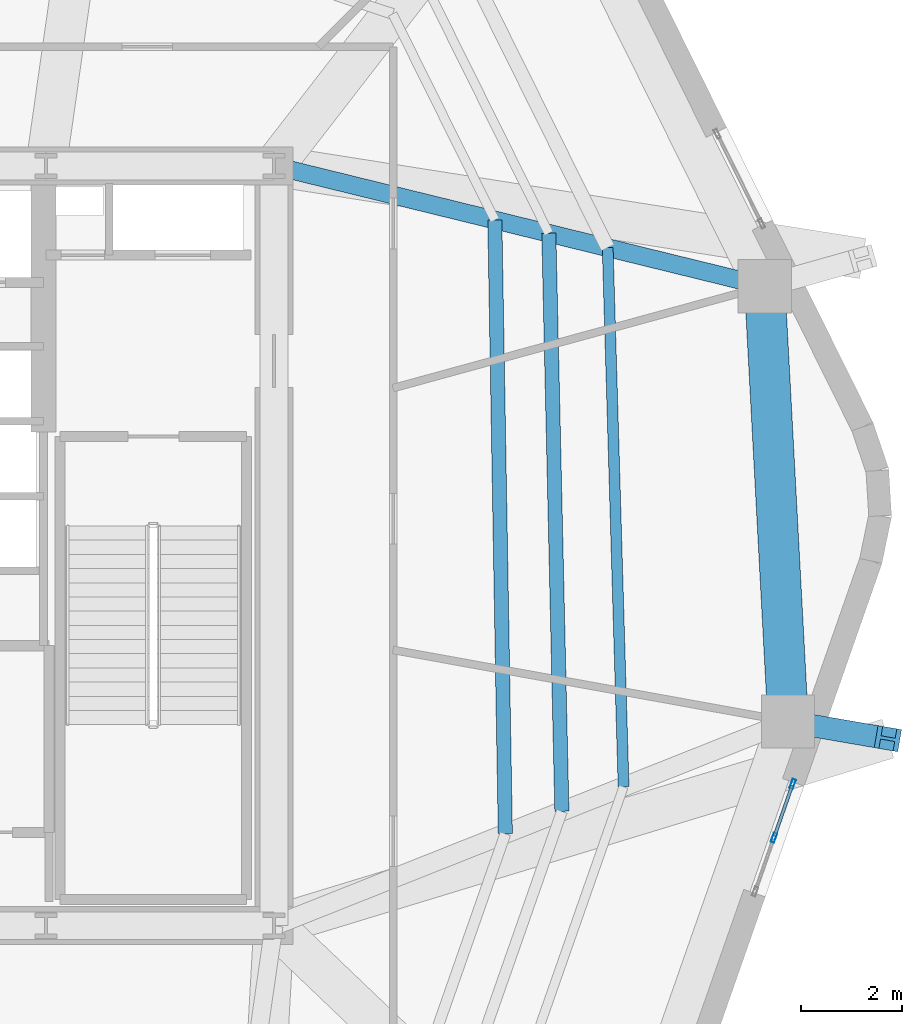
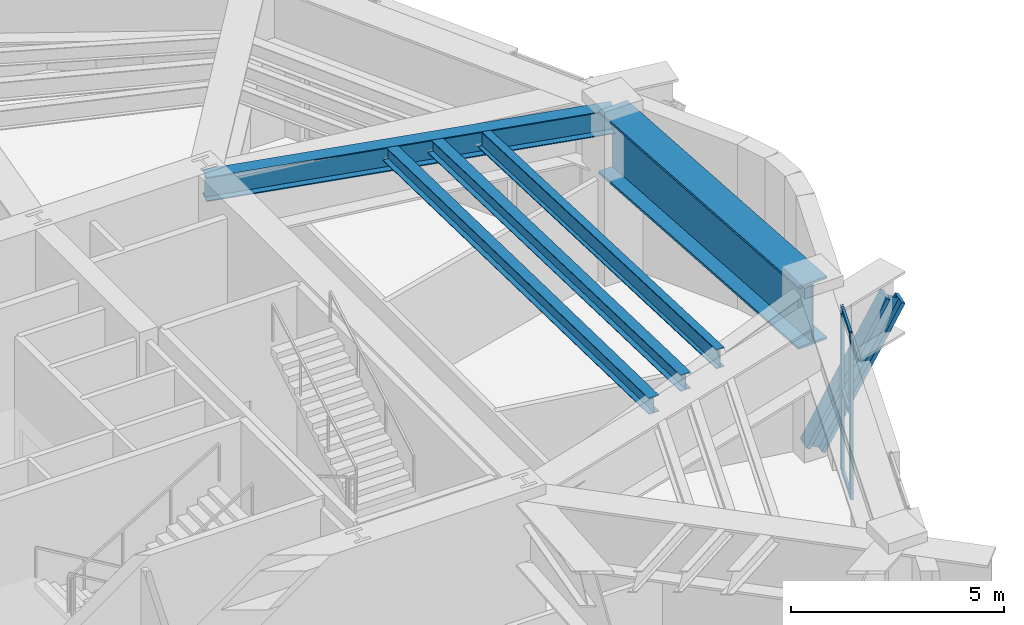
# One storey, part 7 of 18: 6 members, 5 beams, 1 element without a shape of its own.
"""IFC4 building model written with IfcOpenShell, lengths in metres."""

from ifc_helpers import new_model, si_unit, direction, frame, origin, origin_2d, place, context, subcontext, project, spatial, hollow_rectangle, i_section, extrude, material, layer, layer_set, material_profile, profile_set, type_object, element, aggregate, save


model = new_model("IFC4")

# Units and contexts
model_context = context("Model", 3, precision=1e-05, world=origin(), true_north=direction((0.0, 1.0)))
body_context = subcontext(model_context, "Body", "Model", "MODEL_VIEW")
ifc_project = project(units=[si_unit("LENGTHUNIT", "METRE"), si_unit("AREAUNIT", "SQUARE_METRE"), si_unit("VOLUMEUNIT", "CUBIC_METRE"), si_unit("PLANEANGLEUNIT", "RADIAN"), si_unit("MASSUNIT", "GRAM", prefix="KILO")], contexts=[model_context])

# Site, building, storey
site_placement = place(None, origin())
site = spatial("IfcSite", under=ifc_project, at=site_placement, CompositionType="ELEMENT")
building_placement = place(site_placement, origin())
building = spatial("IfcBuilding", under=site, at=building_placement, Name="Kilnhurst Terrace Hotel", CompositionType="ELEMENT")
storey_placement = place(building_placement, frame((0.0, 0.0, 201.5)))
storey = spatial("IfcBuildingStorey", under=building, at=storey_placement, Name="L50", CompositionType="ELEMENT", Elevation=201.5)

# Beams
ifc_material_1 = material(Name="Steel ASTM A992 Grade 50", Category="steel")
ifc_material_profile_1 = material_profile(ifc_material_1, i_section(OverallWidth=0.354736328125, OverallDepth=0.695556640625, WebThickness=0.015380859375, FlangeThickness=0.025146484375, at=origin_2d()), Name="W27X146")
ifc_profile_set_1 = profile_set([ifc_material_profile_1], Name="Steel ASTM A992 Grade 50")
beam_type_1 = type_object("IfcBeamType", Name="BM-STL-W27X146", PredefinedType="BEAM", material=ifc_profile_set_1)
beam_1_placement = place(storey_placement, frame((9.0, 7.5, 4.35205078125), z_axis=(0.971212767405, -0.238213686486, 0.0), x_axis=(0.238213686486, 0.971212767405, 0.0)))
element("IfcBeam", 1, at=beam_1_placement, inside=storey, type_object=beam_type_1, Name="L50 Radial Floor Beam 5", PredefinedType="BEAM", context=body_context, shape_type="SweptSolid", body=[
    extrude(i_section(OverallWidth=0.354736328125, OverallDepth=0.695556640625, WebThickness=0.015380859375, FlangeThickness=0.025146484375, at=origin_2d()), origin(), (0.0, 0.0, 1.0), 9.97412109375),
])
ifc_material_profile_2 = material_profile(ifc_material_1, i_section(OverallWidth=0.279296875, OverallDepth=0.462890625, WebThickness=0.0107421875, FlangeThickness=0.017333984375, at=origin_2d()), Name="W18X76")
ifc_profile_set_2 = profile_set([ifc_material_profile_2], Name="Steel ASTM A992 Grade 50")
beam_type_2 = type_object("IfcBeamType", Name="JST-STL-W18X76", PredefinedType="JOIST", material=ifc_profile_set_2)
beam_2_placement = place(storey_placement, frame((13.566650390625, -5.685302734375, 4.468017578125), z_axis=(-0.017124916462, 0.999853357866, 0.0), x_axis=(-0.999853357866, -0.017124916462, 0.0)))
element("IfcBeam", 2, at=beam_2_placement, inside=storey, type_object=beam_type_2, Name="L50 Secondary Floor Steel Joist IN.4", PredefinedType="JOIST", context=body_context, shape_type="SweptSolid", body=[
    extrude(i_section(OverallWidth=0.279296875, OverallDepth=0.462890625, WebThickness=0.0107421875, FlangeThickness=0.017333984375, at=origin_2d()), origin(), (0.0, 0.0, 1.0), 12.117919921875),
])
beam_3_placement = place(storey_placement, frame((14.682861328125, -5.241455078125, 4.468017578125), z_axis=(-0.022609166003, 0.999744380136, 0.0), x_axis=(-0.999744380136, -0.022609166003, 0.0)))
element("IfcBeam", 3, at=beam_3_placement, inside=storey, type_object=beam_type_2, Name="L50 Secondary Floor Steel Joist MID.4", PredefinedType="JOIST", context=body_context, shape_type="SweptSolid", body=[
    extrude(i_section(OverallWidth=0.279296875, OverallDepth=0.462890625, WebThickness=0.0107421875, FlangeThickness=0.017333984375, at=origin_2d()), origin(), (0.0, 0.0, 1.0), 11.413818359375),
])
ifc_material_profile_3 = material_profile(ifc_material_1, i_section(OverallWidth=0.2138671875, OverallDepth=0.549072265625, WebThickness=0.0146484375, FlangeThickness=0.023681640625, at=origin_2d()), Name="W21X93")
ifc_profile_set_3 = profile_set([ifc_material_profile_3], Name="Steel ASTM A992 Grade 50")
beam_type_3 = type_object("IfcBeamType", Name="JST-STL-W21X93", PredefinedType="JOIST", material=ifc_profile_set_3)
beam_4_placement = place(storey_placement, frame((15.900634765625, -4.757568359375, 4.425048828125), z_axis=(-0.029444201298, 0.999566425512, 0.0), x_axis=(-0.999566425512, -0.029444201298, 0.0)))
element("IfcBeam", 4, at=beam_4_placement, inside=storey, type_object=beam_type_3, Name="L50 Secondary Floor Steel Joist OUT.4", PredefinedType="JOIST", context=body_context, shape_type="SweptSolid", body=[
    extrude(i_section(OverallWidth=0.2138671875, OverallDepth=0.549072265625, WebThickness=0.0146484375, FlangeThickness=0.023681640625, at=origin_2d()), origin(), (0.0, 0.0, 1.0), 10.646484375),
])

# Curtain wall, members
ifc_material_2 = material(Name="Anodized Aluminium Alloy 6063-T6 and Low-E Glass", Category="aluminium")
ifc_layer = layer(ifc_material_2, 0.219970703125, Name="Anodized Aluminium Alloy 6063-T6 and Low-E Glass")
ifc_layer_set = layer_set([ifc_layer], Name="Anodized Aluminium Alloy 6063-T6 and Low-E Glass")
curtain_wall_type = type_object("IfcCurtainWallType", Name="CW-SPA-L50", PredefinedType="NOTDEFINED", material=ifc_layer_set)
curtain_wall_placement = place(storey_placement, origin())
curtain_wall = element("IfcCurtainWall", 5, at=curtain_wall_placement, inside=storey, type_object=curtain_wall_type, Name="L50 Curtain Wall CW-L50-F2-2", PredefinedType="NOTDEFINED")
ifc_material_3 = material(Name="Extruded Aluminium Alloy 6063-T6", Category="aluminium")
ifc_material_profile_4 = material_profile(ifc_material_3, hollow_rectangle(XDim=0.070068359375, YDim=0.18994140625, WallThickness=0.00390625, at=origin_2d()), Name="CWM70X190")
ifc_profile_set_4 = profile_set([ifc_material_profile_4], Name="Extruded Aluminium Alloy 6063-T6")
member_type_1 = type_object("IfcMemberType", Name="MEM-CWM70X190", PredefinedType="MULLION", material=ifc_profile_set_4)
member_1_placement = place(storey_placement, frame((18.86865234375, -5.7626953125, 0.0), z_axis=(0.0, 0.0, 1.0), x_axis=(-0.943822032157, 0.33045418989, 0.0)))
member_1 = element("IfcMember", 6, at=member_1_placement, type_object=member_type_1, Name="CWA-4 mullion 2", PredefinedType="MULLION", context=body_context, shape_type="SweptSolid", body=[
    extrude(hollow_rectangle(XDim=0.070068359375, YDim=0.18994140625, WallThickness=0.00390625, at=origin_2d()), origin(), (0.0, 0.0, 1.0), 4.699951171875),
])
member_2_placement = place(storey_placement, frame((19.239990234375, -4.701904296875, 0.0), z_axis=(0.0, 0.0, 1.0), x_axis=(-0.943822032157, 0.33045418989, 0.0)))
member_2 = element("IfcMember", 7, at=member_2_placement, type_object=member_type_1, Name="CWA-4 mullion 3", PredefinedType="MULLION", context=body_context, shape_type="SweptSolid", body=[
    extrude(hollow_rectangle(XDim=0.070068359375, YDim=0.18994140625, WallThickness=0.00390625, at=origin_2d()), origin(), (0.0, 0.0, 1.0), 4.699951171875),
])
ifc_material_profile_5 = material_profile(ifc_material_3, hollow_rectangle(XDim=0.06494140625, YDim=0.1201171875, WallThickness=0.00341796875, at=origin_2d()), Name="CWT65X120")
ifc_profile_set_5 = profile_set([ifc_material_profile_5], Name="Extruded Aluminium Alloy 6063-T6")
member_type_2 = type_object("IfcMemberType", Name="MEM-CWT65X120", PredefinedType="USERDEFINED", material=ifc_profile_set_5)
member_3_placement = place(storey_placement, frame((18.880126953125, -5.729736328125, 0.032470703125), z_axis=(0.330505169768, 0.943804181362, 0.0), x_axis=(-0.943804181362, 0.330505169768, 0.0)))
member_3 = element("IfcMember", 8, at=member_3_placement, type_object=member_type_2, Name="CWA-4 transom 2.1", ObjectType="TRANSOM", PredefinedType="USERDEFINED", context=body_context, shape_type="SweptSolid", body=[
    extrude(hollow_rectangle(XDim=0.06494140625, YDim=0.1201171875, WallThickness=0.00341796875, at=origin_2d()), origin(), (0.0, 0.0, 1.0), 1.05419921875),
])
member_4_placement = place(storey_placement, frame((18.880126953125, -5.729736328125, 2.35009765625), z_axis=(0.330505169768, 0.943804181362, 0.0), x_axis=(-0.943804181362, 0.330505169768, 0.0)))
member_4 = element("IfcMember", 9, at=member_4_placement, type_object=member_type_2, Name="CWA-4 transom 2.2", ObjectType="TRANSOM", PredefinedType="USERDEFINED", context=body_context, shape_type="SweptSolid", body=[
    extrude(hollow_rectangle(XDim=0.06494140625, YDim=0.1201171875, WallThickness=0.00341796875, at=origin_2d()), origin(), (0.0, 0.0, 1.0), 1.05419921875),
])
member_5_placement = place(storey_placement, frame((18.880126953125, -5.729736328125, 4.66748046875), z_axis=(0.330505169768, 0.943804181362, 0.0), x_axis=(-0.943804181362, 0.330505169768, 0.0)))
member_5 = element("IfcMember", 10, at=member_5_placement, type_object=member_type_2, Name="CWA-4 transom 2.3", ObjectType="TRANSOM", PredefinedType="USERDEFINED", context=body_context, shape_type="SweptSolid", body=[
    extrude(hollow_rectangle(XDim=0.06494140625, YDim=0.1201171875, WallThickness=0.00341796875, at=origin_2d()), origin(), (0.0, 0.0, 1.0), 1.05419921875),
])
aggregate(curtain_wall, [member_1, member_2, member_3, member_4, member_5])

# Member
ifc_material_profile_6 = material_profile(ifc_material_1, i_section(OverallWidth=0.44189453125, OverallDepth=0.531494140625, WebThickness=0.06591796875, FlangeThickness=0.105712890625, at=origin_2d()), Name="W14X605")
ifc_profile_set_6 = profile_set([ifc_material_profile_6], Name="Steel ASTM A992 Grade 50")
member_type_3 = type_object("IfcMemberType", Name="MEM-OTR-DIAG-605", PredefinedType="BRACE", material=ifc_profile_set_6)
member_6_placement = place(storey_placement, frame((19.14794921875, -3.467041015625, 0.0), z_axis=(0.458795097439, -0.079147698059, 0.885010000202), x_axis=(0.170000979016, 0.985443893448, 0.0)))
element("IfcMember", 11, at=member_6_placement, inside=storey, type_object=member_type_3, Name="L50 Waist Flare Inclined Column Strut 4", PredefinedType="BRACE", context=body_context, shape_type="SweptSolid", body=[
    extrude(i_section(OverallWidth=0.44189453125, OverallDepth=0.531494140625, WebThickness=0.06591796875, FlangeThickness=0.105712890625, at=origin_2d()), origin(), (0.0, 0.0, 1.0), 4.293701171875),
])

# Beam
ifc_material_4 = material(Name="Steel ASTM A572 Grade 50", Category="steel")
ifc_material_profile_7 = material_profile(ifc_material_4, i_section(OverallWidth=0.800048828125, OverallDepth=1.800048828125, WebThickness=0.0400390625, FlangeThickness=0.06494140625, at=origin_2d()), Name="PG1800X800")
ifc_profile_set_7 = profile_set([ifc_material_profile_7], Name="Steel ASTM A572 Grade 50")
beam_type_4 = type_object("IfcBeamType", Name="TG-STEP-1800", PredefinedType="USERDEFINED", material=ifc_profile_set_7)
beam_5_placement = place(storey_placement, frame((19.14794921875, -3.467041015625, 3.800048828125), z_axis=(-0.053576072051, 0.998563770875, 0.0), x_axis=(-0.998563770875, -0.053576072051, 0.0)))
element("IfcBeam", 12, at=beam_5_placement, inside=storey, type_object=beam_type_4, Name="L50 Zone Step Perimeter Transfer Girder 4", ObjectType="GIRDER", PredefinedType="USERDEFINED", context=body_context, shape_type="SweptSolid", body=[
    extrude(i_section(OverallWidth=0.800048828125, OverallDepth=1.800048828125, WebThickness=0.0400390625, FlangeThickness=0.06494140625, at=origin_2d()), origin(), (0.0, 0.0, 1.0), 8.603515625),
])

save(model, "model.ifc")
